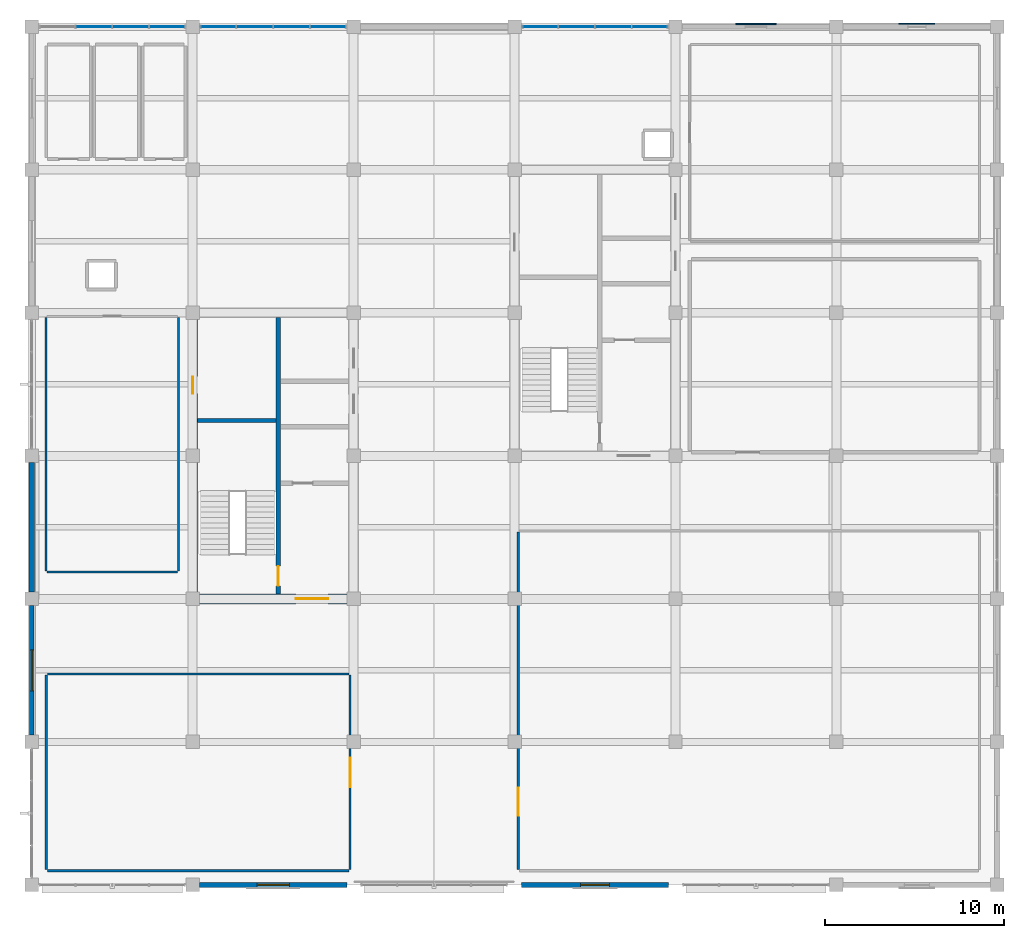
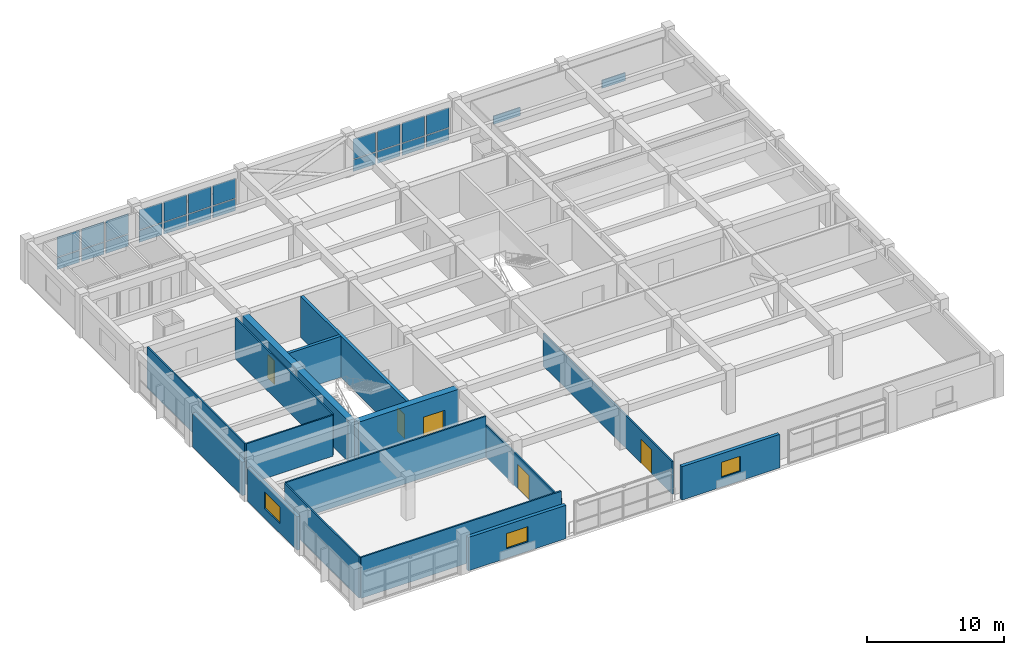
# One storey, part 11 of 15: 24 plates, 16 walls, 5 doors, 3 windows, 8 openings, 3 elements without a shape of their own.
"""IFC4 building model written with IfcOpenShell, lengths in metres."""

from ifc_helpers import new_model, si_unit, direction, frame, frame_2d, origin, place, context, subcontext, project, spatial, rectangle, extrude, material, layer, layer_set, type_object, element, fill, aggregate, save


model = new_model("IFC4")

# Units and contexts
model_context = context("Model", 3, precision=1e-05, world=origin(), true_north=direction((0.0, 1.0)))
body_context = subcontext(model_context, "Body", "Model", "MODEL_VIEW")
ifc_project = project(units=[si_unit("LENGTHUNIT", "METRE"), si_unit("AREAUNIT", "SQUARE_METRE"), si_unit("VOLUMEUNIT", "CUBIC_METRE"), si_unit("PLANEANGLEUNIT", "RADIAN"), si_unit("MASSUNIT", "GRAM", prefix="KILO")], contexts=[model_context])

# Site, building, storey
site_placement = place(None, origin())
site = spatial("IfcSite", under=ifc_project, at=site_placement, CompositionType="ELEMENT")
building_placement = place(site_placement, origin())
building = spatial("IfcBuilding", under=site, at=building_placement, Name="Zaverband Oceanarium and Marine Research Institute", CompositionType="ELEMENT")
storey_placement = place(building_placement, frame((0.0, 0.0, 53.10009765625)))
storey = spatial("IfcBuildingStorey", under=building, at=storey_placement, Name="L13", CompositionType="ELEMENT", Elevation=53.10009765625)

# Curtain wall, plates
ifc_material_1 = material(Name="Thermally broken anodized aluminium and solar-control glass", Category="aluminium")
curtain_wall_type = type_object("IfcCurtainWallType", Name="CW-UNIT-1800", PredefinedType="NOTDEFINED", material=ifc_material_1)
curtain_wall_1_placement = place(storey_placement, origin())
curtain_wall_1 = element("IfcCurtainWall", 1, at=curtain_wall_1_placement, inside=storey, type_object=curtain_wall_type, Name="Unitised glazed curtain wall CW-142", PredefinedType="NOTDEFINED")
ifc_material_2 = material(Name="Low-E double-glazed solar-control glass", Category="glass")
ifc_layer_1 = layer(ifc_material_2, 0.033935546875, Name="Low-E double-glazed solar-control glass")
ifc_layer_set_1 = layer_set([ifc_layer_1], Name="Low-E double-glazed solar-control glass")
plate_type_1 = type_object("IfcPlateType", Name="CWP-1820x1043", PredefinedType="CURTAIN_PANEL", material=ifc_layer_set_1)
plate_1_placement = place(storey_placement, frame((11.52001953125, 112.0, 0.0498046875), z_axis=(0.0, 0.0, 1.0), x_axis=(1.0, 0.0, 0.0)))
plate_1 = element("IfcPlate", 2, at=plate_1_placement, type_object=plate_type_1, Name="Glazed curtain wall panel CWP-1820x1043", PredefinedType="CURTAIN_PANEL", context=body_context, shape_type="SweptSolid", body=[
    extrude(rectangle(XDim=1.89990234375, YDim=0.033935546875, at=frame_2d((0.949951171875, 0.0))), origin(), (0.0, 0.0, 1.0), 1.043212890625),
])
plate_2_placement = place(storey_placement, frame((13.580078125, 112.0, 0.0498046875), z_axis=(0.0, 0.0, 1.0), x_axis=(1.0, 0.0, 0.0)))
plate_2 = element("IfcPlate", 3, at=plate_2_placement, type_object=plate_type_1, Name="Glazed curtain wall panel CWP-1820x1043", PredefinedType="CURTAIN_PANEL", context=body_context, shape_type="SweptSolid", body=[
    extrude(rectangle(XDim=1.89990234375, YDim=0.033935546875, at=frame_2d((0.949951171875, 0.0))), origin(), (0.0, 0.0, 1.0), 1.043212890625),
])
plate_3_placement = place(storey_placement, frame((15.639892578125, 112.0, 0.0498046875), z_axis=(0.0, 0.0, 1.0), x_axis=(1.0, 0.0, 0.0)))
plate_3 = element("IfcPlate", 4, at=plate_3_placement, type_object=plate_type_1, Name="Glazed curtain wall panel CWP-1820x1043", PredefinedType="CURTAIN_PANEL", context=body_context, shape_type="SweptSolid", body=[
    extrude(rectangle(XDim=1.900146484375, YDim=0.033935546875, at=frame_2d((0.9501953125, 0.0))), origin(), (0.0, 0.0, 1.0), 1.043212890625),
])

curtain_wall_2_placement = place(storey_placement, origin())
curtain_wall_2 = element("IfcCurtainWall", 5, at=curtain_wall_2_placement, inside=storey, type_object=curtain_wall_type, Name="Unitised glazed curtain wall CW-143", PredefinedType="NOTDEFINED")
plate_4_placement = place(storey_placement, frame((18.4599609375, 112.0, 0.0498046875), z_axis=(0.0, 0.0, 1.0), x_axis=(1.0, 0.0, 0.0)))
plate_4 = element("IfcPlate", 6, at=plate_4_placement, type_object=plate_type_1, Name="Glazed curtain wall panel CWP-1820x1043", PredefinedType="CURTAIN_PANEL", context=body_context, shape_type="SweptSolid", body=[
    extrude(rectangle(XDim=1.900146484375, YDim=0.033935546875, at=frame_2d((0.9501953125, 0.0))), origin(), (0.0, 0.0, 1.0), 1.043212890625),
])
plate_5_placement = place(storey_placement, frame((20.52001953125, 112.0, 0.0498046875), z_axis=(0.0, 0.0, 1.0), x_axis=(1.0, 0.0, 0.0)))
plate_5 = element("IfcPlate", 7, at=plate_5_placement, type_object=plate_type_1, Name="Glazed curtain wall panel CWP-1820x1043", PredefinedType="CURTAIN_PANEL", context=body_context, shape_type="SweptSolid", body=[
    extrude(rectangle(XDim=1.89990234375, YDim=0.033935546875, at=frame_2d((0.949951171875, 0.0))), origin(), (0.0, 0.0, 1.0), 1.043212890625),
])
plate_6_placement = place(storey_placement, frame((22.580078125, 112.0, 0.0498046875), z_axis=(0.0, 0.0, 1.0), x_axis=(1.0, 0.0, 0.0)))
plate_6 = element("IfcPlate", 8, at=plate_6_placement, type_object=plate_type_1, Name="Glazed curtain wall panel CWP-1820x1043", PredefinedType="CURTAIN_PANEL", context=body_context, shape_type="SweptSolid", body=[
    extrude(rectangle(XDim=1.89990234375, YDim=0.033935546875, at=frame_2d((0.949951171875, 0.0))), origin(), (0.0, 0.0, 1.0), 1.043212890625),
])
plate_7_placement = place(storey_placement, frame((24.639892578125, 112.0, 0.0498046875), z_axis=(0.0, 0.0, 1.0), x_axis=(1.0, 0.0, 0.0)))
plate_7 = element("IfcPlate", 9, at=plate_7_placement, type_object=plate_type_1, Name="Glazed curtain wall panel CWP-1820x1043", PredefinedType="CURTAIN_PANEL", context=body_context, shape_type="SweptSolid", body=[
    extrude(rectangle(XDim=1.900146484375, YDim=0.033935546875, at=frame_2d((0.9501953125, 0.0))), origin(), (0.0, 0.0, 1.0), 1.043212890625),
])

curtain_wall_3_placement = place(storey_placement, origin())
curtain_wall_3 = element("IfcCurtainWall", 10, at=curtain_wall_3_placement, inside=storey, type_object=curtain_wall_type, Name="Unitised glazed curtain wall CW-144", PredefinedType="NOTDEFINED")
plate_8_placement = place(storey_placement, frame((36.4599609375, 112.0, 0.0498046875), z_axis=(0.0, 0.0, 1.0), x_axis=(1.0, 0.0, 0.0)))
plate_8 = element("IfcPlate", 11, at=plate_8_placement, type_object=plate_type_1, Name="Glazed curtain wall panel CWP-1820x1043", PredefinedType="CURTAIN_PANEL", context=body_context, shape_type="SweptSolid", body=[
    extrude(rectangle(XDim=1.900146484375, YDim=0.033935546875, at=frame_2d((0.9501953125, 0.0))), origin(), (0.0, 0.0, 1.0), 1.043212890625),
])
plate_9_placement = place(storey_placement, frame((38.52001953125, 112.0, 0.0498046875), z_axis=(0.0, 0.0, 1.0), x_axis=(1.0, 0.0, 0.0)))
plate_9 = element("IfcPlate", 12, at=plate_9_placement, type_object=plate_type_1, Name="Glazed curtain wall panel CWP-1820x1043", PredefinedType="CURTAIN_PANEL", context=body_context, shape_type="SweptSolid", body=[
    extrude(rectangle(XDim=1.89990234375, YDim=0.033935546875, at=frame_2d((0.949951171875, 0.0))), origin(), (0.0, 0.0, 1.0), 1.043212890625),
])
plate_10_placement = place(storey_placement, frame((40.580078125, 112.0, 0.0498046875), z_axis=(0.0, 0.0, 1.0), x_axis=(1.0, 0.0, 0.0)))
plate_10 = element("IfcPlate", 13, at=plate_10_placement, type_object=plate_type_1, Name="Glazed curtain wall panel CWP-1820x1043", PredefinedType="CURTAIN_PANEL", context=body_context, shape_type="SweptSolid", body=[
    extrude(rectangle(XDim=1.89990234375, YDim=0.033935546875, at=frame_2d((0.949951171875, 0.0))), origin(), (0.0, 0.0, 1.0), 1.043212890625),
])
plate_11_placement = place(storey_placement, frame((42.639892578125, 112.0, 0.0498046875), z_axis=(0.0, 0.0, 1.0), x_axis=(1.0, 0.0, 0.0)))
plate_11 = element("IfcPlate", 14, at=plate_11_placement, type_object=plate_type_1, Name="Glazed curtain wall panel CWP-1820x1043", PredefinedType="CURTAIN_PANEL", context=body_context, shape_type="SweptSolid", body=[
    extrude(rectangle(XDim=1.900146484375, YDim=0.033935546875, at=frame_2d((0.9501953125, 0.0))), origin(), (0.0, 0.0, 1.0), 1.043212890625),
])

# Plate
ifc_layer_2 = layer(ifc_material_2, 0.035888671875, Name="Low-E double-glazed solar-control glass")
ifc_layer_set_2 = layer_set([ifc_layer_2], Name="Low-E double-glazed solar-control glass")
plate_type_2 = type_object("IfcPlateType", Name="CWP-1820x1777", PredefinedType="CURTAIN_PANEL", material=ifc_layer_set_2)
plate_12_placement = place(storey_placement, frame((11.52001953125, 112.0, 1.162841796875), z_axis=(0.0, 0.0, 1.0), x_axis=(1.0, 0.0, 0.0)))
plate_12 = element("IfcPlate", 15, at=plate_12_placement, type_object=plate_type_2, Name="Glazed curtain wall panel CWP-1820x1777", PredefinedType="CURTAIN_PANEL", context=body_context, shape_type="SweptSolid", body=[
    extrude(rectangle(XDim=1.89990234375, YDim=0.035888671875, at=frame_2d((0.949951171875, 0.0))), origin(), (0.0, 0.0, 1.0), 1.777099609375),
])

plate_13_placement = place(storey_placement, frame((13.580078125, 112.0, 1.162841796875), z_axis=(0.0, 0.0, 1.0), x_axis=(1.0, 0.0, 0.0)))
plate_13 = element("IfcPlate", 16, at=plate_13_placement, type_object=plate_type_2, Name="Glazed curtain wall panel CWP-1820x1777", PredefinedType="CURTAIN_PANEL", context=body_context, shape_type="SweptSolid", body=[
    extrude(rectangle(XDim=1.89990234375, YDim=0.035888671875, at=frame_2d((0.949951171875, 0.0))), origin(), (0.0, 0.0, 1.0), 1.777099609375),
])

plate_14_placement = place(storey_placement, frame((15.639892578125, 112.0, 1.162841796875), z_axis=(0.0, 0.0, 1.0), x_axis=(1.0, 0.0, 0.0)))
plate_14 = element("IfcPlate", 17, at=plate_14_placement, type_object=plate_type_2, Name="Glazed curtain wall panel CWP-1820x1777", PredefinedType="CURTAIN_PANEL", context=body_context, shape_type="SweptSolid", body=[
    extrude(rectangle(XDim=1.900146484375, YDim=0.035888671875, at=frame_2d((0.9501953125, 0.0))), origin(), (0.0, 0.0, 1.0), 1.777099609375),
])

aggregate(curtain_wall_1, [plate_1, plate_12, plate_2, plate_13, plate_3, plate_14])

plate_15_placement = place(storey_placement, frame((18.4599609375, 112.0, 1.162841796875), z_axis=(0.0, 0.0, 1.0), x_axis=(1.0, 0.0, 0.0)))
plate_15 = element("IfcPlate", 18, at=plate_15_placement, type_object=plate_type_2, Name="Glazed curtain wall panel CWP-1820x1777", PredefinedType="CURTAIN_PANEL", context=body_context, shape_type="SweptSolid", body=[
    extrude(rectangle(XDim=1.900146484375, YDim=0.035888671875, at=frame_2d((0.9501953125, 0.0))), origin(), (0.0, 0.0, 1.0), 1.777099609375),
])

plate_16_placement = place(storey_placement, frame((20.52001953125, 112.0, 1.162841796875), z_axis=(0.0, 0.0, 1.0), x_axis=(1.0, 0.0, 0.0)))
plate_16 = element("IfcPlate", 19, at=plate_16_placement, type_object=plate_type_2, Name="Glazed curtain wall panel CWP-1820x1777", PredefinedType="CURTAIN_PANEL", context=body_context, shape_type="SweptSolid", body=[
    extrude(rectangle(XDim=1.89990234375, YDim=0.035888671875, at=frame_2d((0.949951171875, 0.0))), origin(), (0.0, 0.0, 1.0), 1.777099609375),
])

plate_17_placement = place(storey_placement, frame((22.580078125, 112.0, 1.162841796875), z_axis=(0.0, 0.0, 1.0), x_axis=(1.0, 0.0, 0.0)))
plate_17 = element("IfcPlate", 20, at=plate_17_placement, type_object=plate_type_2, Name="Glazed curtain wall panel CWP-1820x1777", PredefinedType="CURTAIN_PANEL", context=body_context, shape_type="SweptSolid", body=[
    extrude(rectangle(XDim=1.89990234375, YDim=0.035888671875, at=frame_2d((0.949951171875, 0.0))), origin(), (0.0, 0.0, 1.0), 1.777099609375),
])

plate_18_placement = place(storey_placement, frame((24.639892578125, 112.0, 1.162841796875), z_axis=(0.0, 0.0, 1.0), x_axis=(1.0, 0.0, 0.0)))
plate_18 = element("IfcPlate", 21, at=plate_18_placement, type_object=plate_type_2, Name="Glazed curtain wall panel CWP-1820x1777", PredefinedType="CURTAIN_PANEL", context=body_context, shape_type="SweptSolid", body=[
    extrude(rectangle(XDim=1.900146484375, YDim=0.035888671875, at=frame_2d((0.9501953125, 0.0))), origin(), (0.0, 0.0, 1.0), 1.777099609375),
])

aggregate(curtain_wall_2, [plate_4, plate_15, plate_5, plate_16, plate_6, plate_17, plate_7, plate_18])

plate_19_placement = place(storey_placement, frame((36.4599609375, 112.0, 1.162841796875), z_axis=(0.0, 0.0, 1.0), x_axis=(1.0, 0.0, 0.0)))
plate_19 = element("IfcPlate", 22, at=plate_19_placement, type_object=plate_type_2, Name="Glazed curtain wall panel CWP-1820x1777", PredefinedType="CURTAIN_PANEL", context=body_context, shape_type="SweptSolid", body=[
    extrude(rectangle(XDim=1.900146484375, YDim=0.035888671875, at=frame_2d((0.9501953125, 0.0))), origin(), (0.0, 0.0, 1.0), 1.777099609375),
])

plate_20_placement = place(storey_placement, frame((38.52001953125, 112.0, 1.162841796875), z_axis=(0.0, 0.0, 1.0), x_axis=(1.0, 0.0, 0.0)))
plate_20 = element("IfcPlate", 23, at=plate_20_placement, type_object=plate_type_2, Name="Glazed curtain wall panel CWP-1820x1777", PredefinedType="CURTAIN_PANEL", context=body_context, shape_type="SweptSolid", body=[
    extrude(rectangle(XDim=1.89990234375, YDim=0.035888671875, at=frame_2d((0.949951171875, 0.0))), origin(), (0.0, 0.0, 1.0), 1.777099609375),
])

plate_21_placement = place(storey_placement, frame((40.580078125, 112.0, 1.162841796875), z_axis=(0.0, 0.0, 1.0), x_axis=(1.0, 0.0, 0.0)))
plate_21 = element("IfcPlate", 24, at=plate_21_placement, type_object=plate_type_2, Name="Glazed curtain wall panel CWP-1820x1777", PredefinedType="CURTAIN_PANEL", context=body_context, shape_type="SweptSolid", body=[
    extrude(rectangle(XDim=1.89990234375, YDim=0.035888671875, at=frame_2d((0.949951171875, 0.0))), origin(), (0.0, 0.0, 1.0), 1.777099609375),
])

plate_22_placement = place(storey_placement, frame((42.639892578125, 112.0, 1.162841796875), z_axis=(0.0, 0.0, 1.0), x_axis=(1.0, 0.0, 0.0)))
plate_22 = element("IfcPlate", 25, at=plate_22_placement, type_object=plate_type_2, Name="Glazed curtain wall panel CWP-1820x1777", PredefinedType="CURTAIN_PANEL", context=body_context, shape_type="SweptSolid", body=[
    extrude(rectangle(XDim=1.900146484375, YDim=0.035888671875, at=frame_2d((0.9501953125, 0.0))), origin(), (0.0, 0.0, 1.0), 1.777099609375),
])

aggregate(curtain_wall_3, [plate_8, plate_19, plate_9, plate_20, plate_10, plate_21, plate_11, plate_22])

# Plates
ifc_material_3 = material(Name="Concrete C40/50 precast ochre", Category="concrete")
ifc_layer_3 = layer(ifc_material_3, 0.070068359375, Name="Concrete C40/50 precast ochre")
ifc_layer_set_3 = layer_set([ifc_layer_3], Name="Concrete C40/50 precast ochre")
plate_type_3 = type_object("IfcPlateType", Name="FRP-2000x720", PredefinedType="USERDEFINED", material=ifc_layer_set_3)
plate_23_placement = place(storey_placement, frame((57.5, 112.1650390625, 0.0), z_axis=(0.0, 0.0, 1.0), x_axis=(1.0, 0.0, 0.0)))
element("IfcPlate", 26, at=plate_23_placement, inside=storey, type_object=plate_type_3, Name="Geometric precast facade cladding panel FRP-2000x720", ObjectType="FLANGE_PLATE", PredefinedType="USERDEFINED", context=body_context, shape_type="SweptSolid", body=[
    extrude(rectangle(XDim=2.0, YDim=0.070068359375, at=frame_2d((1.0, 0.0))), origin(), (0.0, 0.0, 1.0), 0.719970703125),
])
ifc_layer_4 = layer(ifc_material_3, 0.074951171875, Name="Concrete C40/50 precast ochre")
ifc_layer_set_4 = layer_set([ifc_layer_4], Name="Concrete C40/50 precast ochre")
plate_type_4 = type_object("IfcPlateType", Name="FRP-2250x740", PredefinedType="USERDEFINED", material=ifc_layer_set_4)
plate_24_placement = place(storey_placement, frame((48.375, 112.155029296875, 0.0), z_axis=(0.0, 0.0, 1.0), x_axis=(1.0, 0.0, 0.0)))
element("IfcPlate", 27, at=plate_24_placement, inside=storey, type_object=plate_type_4, Name="Geometric precast facade cladding panel FRP-2250x740", ObjectType="FLANGE_PLATE", PredefinedType="USERDEFINED", context=body_context, shape_type="SweptSolid", body=[
    extrude(rectangle(XDim=2.25, YDim=0.074951171875, at=frame_2d((1.125, 0.0))), origin(), (0.0, 0.0, 1.0), 0.739990234375),
])

# Wall, opening, door
ifc_material_4 = material(Name="Concrete C50/60", Category="concrete")
ifc_layer_5 = layer(ifc_material_4, 0.550048828125, Name="Concrete C50/60")
ifc_layer_set_5 = layer_set([ifc_layer_5], Name="Concrete C50/60")
wall_type_1 = type_object("IfcWallType", Name="CW-01", PredefinedType="SHEAR", material=ifc_layer_set_5)
wall_1_placement = place(storey_placement, frame((18.27490234375, 80.0, 0.0), z_axis=(0.0, 0.0, 1.0), x_axis=(1.0, 0.0, 0.0)))
wall_1 = element("IfcWall", 28, at=wall_1_placement, inside=storey, type_object=wall_type_1, Name="Structural shear wall CW-01", PredefinedType="SHEAR", context=body_context, shape_type="SweptSolid", body=[
    extrude(rectangle(XDim=8.4501953125, YDim=0.550048828125, at=frame_2d((4.22509765625, 0.0))), origin(), (0.0, 0.0, 1.0), 3.64990234375),
])
opening_1_placement = place(wall_1_placement, frame((5.5, 0.0, 0.0)))
opening_1 = element("IfcOpeningElement", 29, at=opening_1_placement, cuts=wall_1, Name="Opening FD-02", PredefinedType="OPENING", context=body_context, shape_type="SweptSolid", body=[
    extrude(rectangle(XDim=1.800048828125, YDim=2.179931640625, at=frame_2d((0.89990234375, 1.08984375))), frame((0.0, 0.287109375, 0.0), z_axis=(0.0, -1.0, 0.0), x_axis=(1.0, 0.0, 0.0)), (0.0, 0.0, 1.0), 0.573974609375),
])
ifc_material_5 = material(Name="Steel S355", Category="steel")
door_type_1 = type_object("IfcDoorType", Name="FD-02", OperationType="DOUBLE_DOOR_SINGLE_SWING", PredefinedType="DOOR", material=ifc_material_5)
door_1_placement = place(opening_1_placement, origin())
door_1 = element("IfcDoor", 30, at=door_1_placement, inside=storey, type_object=door_type_1, Name="Protected lobby double fire door FD-02", OperationType="DOUBLE_DOOR_SINGLE_SWING", OverallHeight=2.179931640625, OverallWidth=1.800048828125, PredefinedType="DOOR", context=body_context, shape_type="SweptSolid", body=[
    extrude(rectangle(XDim=1.800048828125, YDim=2.179931640625, at=frame_2d((0.89990234375, 1.08984375))), frame((0.0, 0.02490234375, 0.0), z_axis=(0.0, -1.0, 0.0), x_axis=(1.0, 0.0, 0.0)), (0.0, 0.0, 1.0), 0.050048828125),
])
fill(opening_1, door_1)

wall_2_placement = place(storey_placement, frame((18.0, 80.27490234375, 0.0), z_axis=(0.0, 0.0, 1.0), x_axis=(0.0, 1.0, 0.0)))
wall_2 = element("IfcWall", 31, at=wall_2_placement, inside=storey, type_object=wall_type_1, Name="Structural shear wall CW-01", PredefinedType="SHEAR", context=body_context, shape_type="SweptSolid", body=[
    extrude(rectangle(XDim=15.4501953125, YDim=0.550048828125, at=frame_2d((7.72509765625, 0.0))), origin(), (0.0, 0.0, 1.0), 3.64990234375),
])
opening_2_placement = place(wall_2_placement, frame((11.199951171875, 0.0, 0.0)))
opening_2 = element("IfcOpeningElement", 32, at=opening_2_placement, cuts=wall_2, Name="Opening FD-03", PredefinedType="OPENING", context=body_context, shape_type="SweptSolid", body=[
    extrude(rectangle(XDim=0.949951171875, YDim=2.10009765625, at=frame_2d((0.47509765625, 1.050048828125))), frame((0.0, 0.287109375, 0.0), z_axis=(0.0, -1.0, 0.0), x_axis=(1.0, 0.0, 0.0)), (0.0, 0.0, 1.0), 0.573974609375),
])
door_type_2 = type_object("IfcDoorType", Name="FD-03", OperationType="NOTDEFINED", PredefinedType="DOOR", material=ifc_material_5)
door_2_placement = place(opening_2_placement, origin())
door_2 = element("IfcDoor", 33, at=door_2_placement, inside=storey, type_object=door_type_2, Name="Service riser access fire door FD-03", OperationType="SINGLE_SWING_RIGHT", OverallHeight=2.10009765625, OverallWidth=0.949951171875, PredefinedType="DOOR", context=body_context, shape_type="SweptSolid", body=[
    extrude(rectangle(XDim=0.949951171875, YDim=2.10009765625, at=frame_2d((0.47509765625, 1.050048828125))), frame((0.0, 0.02490234375, 0.0), z_axis=(0.0, -1.0, 0.0), x_axis=(1.0, 0.0, 0.0)), (0.0, 0.0, 1.0), 0.050048828125),
])
fill(opening_2, door_2)

# Wall, opening, window
ifc_material_6 = material(Name="Concrete C40/50 precast", Category="concrete")
ifc_layer_6 = layer(ifc_material_6, 0.264892578125, Name="Concrete C40/50 precast")
ifc_layer_set_6 = layer_set([ifc_layer_6], Name="Concrete C40/50 precast")
wall_type_2 = type_object("IfcWallType", Name="EW-265", PredefinedType="STANDARD", material=ifc_layer_set_6)
wall_3_placement = place(storey_placement, frame((9.0, 72.3798828125, 0.0), z_axis=(0.0, 0.0, 1.0), x_axis=(0.0, 1.0, 0.0)))
wall_3 = element("IfcWall", 34, at=wall_3_placement, inside=storey, type_object=wall_type_2, Name="Exterior infill wall EW-265", PredefinedType="STANDARD", context=body_context, shape_type="SweptSolid", body=[
    extrude(rectangle(XDim=7.240234375, YDim=0.264892578125, at=frame_2d((3.6201171875, 0.0))), origin(), (0.0, 0.0, 1.0), 2.97998046875),
])
opening_3_placement = place(wall_3_placement, frame((2.469970703125, 0.0, 0.85009765625)))
opening_3 = element("IfcOpeningElement", 35, at=opening_3_placement, cuts=wall_3, Name="Opening WN-2300x1500", PredefinedType="OPENING", context=body_context, shape_type="SweptSolid", body=[
    extrude(rectangle(XDim=2.300048828125, YDim=1.5, at=frame_2d((1.14990234375, 0.75))), frame((0.0, 0.14453125, 0.0), z_axis=(0.0, -1.0, 0.0), x_axis=(1.0, 0.0, 0.0)), (0.0, 0.0, 1.0), 0.288818359375),
])
window_type_1 = type_object("IfcWindowType", Name="WN-2300x1500", PartitioningType="SINGLE_PANEL", PredefinedType="WINDOW", material=ifc_material_1)
window_1_placement = place(opening_3_placement, origin())
window_1 = element("IfcWindow", 36, at=window_1_placement, inside=storey, type_object=window_type_1, Name="Fixed / casement exterior window WN-2300x1500", OverallHeight=1.5, OverallWidth=2.300048828125, PartitioningType="SINGLE_PANEL", PredefinedType="WINDOW", context=body_context, shape_type="SweptSolid", body=[
    extrude(rectangle(XDim=2.300048828125, YDim=1.5, at=frame_2d((1.14990234375, 0.75))), frame((0.0, 0.030029296875, 0.0), z_axis=(0.0, -1.0, 0.0), x_axis=(1.0, 0.0, 0.0)), (0.0, 0.0, 1.0), 0.06005859375),
])
fill(opening_3, window_1)

ifc_layer_7 = layer(ifc_material_6, 0.2900390625, Name="Concrete C40/50 precast")
ifc_layer_set_7 = layer_set([ifc_layer_7], Name="Concrete C40/50 precast")
wall_type_3 = type_object("IfcWallType", Name="EW-290", PredefinedType="STANDARD", material=ifc_layer_set_7)
wall_4_placement = place(storey_placement, frame((18.3798828125, 64.0, 0.0), z_axis=(0.0, 0.0, 1.0), x_axis=(1.0, 0.0, 0.0)))
wall_4 = element("IfcWall", 37, at=wall_4_placement, inside=storey, type_object=wall_type_3, Name="Exterior infill wall EW-290", PredefinedType="STANDARD", context=body_context, shape_type="SweptSolid", body=[
    extrude(rectangle(XDim=8.240234375, YDim=0.2900390625, at=frame_2d((4.1201171875, 0.0))), origin(), (0.0, 0.0, 1.0), 2.97998046875),
])
opening_4_placement = place(wall_4_placement, frame((3.219970703125, 0.0, 0.85009765625)))
opening_4 = element("IfcOpeningElement", 38, at=opening_4_placement, cuts=wall_4, Name="Opening WN-1800x1350", PredefinedType="OPENING", context=body_context, shape_type="SweptSolid", body=[
    extrude(rectangle(XDim=1.800048828125, YDim=1.35009765625, at=frame_2d((0.89990234375, 0.675048828125))), frame((0.0, 0.156982421875, 0.0), z_axis=(0.0, -1.0, 0.0), x_axis=(1.0, 0.0, 0.0)), (0.0, 0.0, 1.0), 0.31396484375),
])
window_type_2 = type_object("IfcWindowType", Name="WN-1800x1350", PartitioningType="SINGLE_PANEL", PredefinedType="WINDOW", material=ifc_material_1)
window_2_placement = place(opening_4_placement, origin())
window_2 = element("IfcWindow", 39, at=window_2_placement, inside=storey, type_object=window_type_2, Name="Fixed / casement exterior window WN-1800x1350", OverallHeight=1.35009765625, OverallWidth=1.800048828125, PartitioningType="SINGLE_PANEL", PredefinedType="WINDOW", context=body_context, shape_type="SweptSolid", body=[
    extrude(rectangle(XDim=1.800048828125, YDim=1.35009765625, at=frame_2d((0.89990234375, 0.675048828125))), frame((0.0, 0.030029296875, 0.0), z_axis=(0.0, -1.0, 0.0), x_axis=(1.0, 0.0, 0.0)), (0.0, 0.0, 1.0), 0.06005859375),
])
fill(opening_4, window_2)

wall_5_placement = place(storey_placement, frame((36.3798828125, 64.0, 0.0), z_axis=(0.0, 0.0, 1.0), x_axis=(1.0, 0.0, 0.0)))
wall_5 = element("IfcWall", 40, at=wall_5_placement, inside=storey, type_object=wall_type_3, Name="Exterior infill wall EW-290", PredefinedType="STANDARD", context=body_context, shape_type="SweptSolid", body=[
    extrude(rectangle(XDim=8.240234375, YDim=0.2900390625, at=frame_2d((4.1201171875, 0.0))), origin(), (0.0, 0.0, 1.0), 2.97998046875),
])
opening_5_placement = place(wall_5_placement, frame((3.320068359375, 0.0, 0.85009765625)))
opening_5 = element("IfcOpeningElement", 41, at=opening_5_placement, cuts=wall_5, Name="Opening WN-1600x1350", PredefinedType="OPENING", context=body_context, shape_type="SweptSolid", body=[
    extrude(rectangle(XDim=1.60009765625, YDim=1.35009765625, at=frame_2d((0.800048828125, 0.675048828125))), frame((0.0, 0.156982421875, 0.0), z_axis=(0.0, -1.0, 0.0), x_axis=(1.0, 0.0, 0.0)), (0.0, 0.0, 1.0), 0.31396484375),
])
window_type_3 = type_object("IfcWindowType", Name="WN-1600x1350", PartitioningType="SINGLE_PANEL", PredefinedType="WINDOW", material=ifc_material_1)
window_3_placement = place(opening_5_placement, origin())
window_3 = element("IfcWindow", 42, at=window_3_placement, inside=storey, type_object=window_type_3, Name="Fixed / casement exterior window WN-1600x1350", OverallHeight=1.35009765625, OverallWidth=1.60009765625, PartitioningType="SINGLE_PANEL", PredefinedType="WINDOW", context=body_context, shape_type="SweptSolid", body=[
    extrude(rectangle(XDim=1.60009765625, YDim=1.35009765625, at=frame_2d((0.800048828125, 0.675048828125))), frame((0.0, 0.030029296875, 0.0), z_axis=(0.0, -1.0, 0.0), x_axis=(1.0, 0.0, 0.0)), (0.0, 0.0, 1.0), 0.06005859375),
])
fill(opening_5, window_3)

# Walls
wall_6_placement = place(storey_placement, frame((9.0, 80.3798828125, 0.0), z_axis=(0.0, 0.0, 1.0), x_axis=(0.0, 1.0, 0.0)))
element("IfcWall", 43, at=wall_6_placement, inside=storey, type_object=wall_type_3, Name="Exterior infill wall EW-290", PredefinedType="STANDARD", context=body_context, shape_type="SweptSolid", body=[
    extrude(rectangle(XDim=7.240234375, YDim=0.2900390625, at=frame_2d((3.6201171875, 0.0))), origin(), (0.0, 0.0, 1.0), 2.97998046875),
])
ifc_material_7 = material(Name="Insulated metal-stud office partition")
ifc_layer_8 = layer(ifc_material_7, 0.1201171875, Name="Insulated metal-stud office partition")
ifc_layer_set_8 = layer_set([ifc_layer_8], Name="Insulated metal-stud office partition")
wall_type_4 = type_object("IfcWallType", Name="PT-120-OF", PredefinedType="PARTITIONING", material=ifc_layer_set_8)
wall_7_placement = place(storey_placement, frame((9.860107421875, 81.5, 0.0), z_axis=(0.0, 0.0, 1.0), x_axis=(1.0, 0.0, 0.0)))
element("IfcWall", 44, at=wall_7_placement, inside=storey, type_object=wall_type_4, Name="Internal partition PT-120-OF", PredefinedType="PARTITIONING", context=body_context, shape_type="SweptSolid", body=[
    extrude(rectangle(XDim=7.27978515625, YDim=0.1201171875, at=frame_2d((3.639892578125, 0.0))), origin(), (0.0, 0.0, 1.0), 3.64990234375),
])
for number, where, z_axis, x_axis, name in (
    (45, (9.800048828125, 81.56005859375, 0.0), (0.0, 0.0, 1.0), (0.0, 1.0, 0.0), "Internal partition PT-120-OF"),
    (46, (17.199951171875, 81.56005859375, 0.0), (0.0, 0.0, 1.0), (0.0, 1.0, 0.0), "Internal partition PT-120-OF"),
):
    element("IfcWall", number, at=place(storey_placement, frame(where, z_axis=z_axis, x_axis=x_axis)), inside=storey, type_object=wall_type_4, Name=name, PredefinedType="PARTITIONING", context=body_context, shape_type="SweptSolid", body=[
        extrude(rectangle(XDim=14.179931640625, YDim=0.1201171875, at=frame_2d((7.08984375, 0.0))), origin(), (0.0, 0.0, 1.0), 3.64990234375),
    ])
ifc_material_8 = material(Name="Archive fire-lined partition")
ifc_layer_9 = layer(ifc_material_8, 0.1298828125, Name="Archive fire-lined partition")
ifc_layer_set_9 = layer_set([ifc_layer_9], Name="Archive fire-lined partition")
wall_type_5 = type_object("IfcWallType", Name="PT-130-AR", PredefinedType="PARTITIONING", material=ifc_layer_set_9)
for number, where, z_axis, x_axis, name in (
    (47, (9.864990234375, 64.800048828125, 0.0), (0.0, 0.0, 1.0), (1.0, 0.0, 0.0), "Internal partition PT-130-AR"),
    (48, (9.864990234375, 75.800048828125, 0.0), (0.0, 0.0, 1.0), (1.0, 0.0, 0.0), "Internal partition PT-130-AR"),
):
    element("IfcWall", number, at=place(storey_placement, frame(where, z_axis=z_axis, x_axis=x_axis)), inside=storey, type_object=wall_type_5, Name=name, PredefinedType="PARTITIONING", context=body_context, shape_type="SweptSolid", body=[
        extrude(rectangle(XDim=16.8701171875, YDim=0.1298828125, at=frame_2d((8.43505859375, 0.0))), origin(), (0.0, 0.0, 1.0), 3.64990234375),
    ])
wall_8_placement = place(storey_placement, frame((9.800048828125, 64.864990234375, 0.0), z_axis=(0.0, 0.0, 1.0), x_axis=(0.0, 1.0, 0.0)))
element("IfcWall", 49, at=wall_8_placement, inside=storey, type_object=wall_type_5, Name="Internal partition PT-130-AR", PredefinedType="PARTITIONING", context=body_context, shape_type="SweptSolid", body=[
    extrude(rectangle(XDim=10.8701171875, YDim=0.1298828125, at=frame_2d((5.43505859375, 0.0))), origin(), (0.0, 0.0, 1.0), 3.64990234375),
])

# Wall, opening, door
wall_9_placement = place(storey_placement, frame((26.800048828125, 64.864990234375, 0.0), z_axis=(0.0, 0.0, 1.0), x_axis=(0.0, 1.0, 0.0)))
wall_9 = element("IfcWall", 50, at=wall_9_placement, inside=storey, type_object=wall_type_5, Name="Internal partition PT-130-AR", PredefinedType="PARTITIONING", context=body_context, shape_type="SweptSolid", body=[
    extrude(rectangle(XDim=10.8701171875, YDim=0.1298828125, at=frame_2d((5.43505859375, 0.0))), origin(), (0.0, 0.0, 1.0), 2.89990234375),
])
opening_6_placement = place(wall_9_placement, frame((4.610107421875, 0.0, 0.0)))
opening_6 = element("IfcOpeningElement", 51, at=opening_6_placement, cuts=wall_9, Name="Opening ID-1650x2160", PredefinedType="OPENING", context=body_context, shape_type="SweptSolid", body=[
    extrude(rectangle(XDim=1.64990234375, YDim=2.159912109375, at=frame_2d((0.824951171875, 1.080078125))), frame((0.0, 0.076904296875, 0.0), z_axis=(0.0, -1.0, 0.0), x_axis=(1.0, 0.0, 0.0)), (0.0, 0.0, 1.0), 0.15380859375),
])
ifc_material_9 = material(Name="Hardwood-veneered acoustic timber", Category="wood")
door_type_3 = type_object("IfcDoorType", Name="ID-1650x2160", OperationType="DOUBLE_DOOR_SINGLE_SWING", PredefinedType="DOOR", material=ifc_material_9)
door_3_placement = place(opening_6_placement, origin())
door_3 = element("IfcDoor", 52, at=door_3_placement, inside=storey, type_object=door_type_3, Name="Archive collection double door ID-1650x2160", OperationType="DOUBLE_DOOR_SINGLE_SWING", OverallHeight=2.159912109375, OverallWidth=1.64990234375, PredefinedType="DOOR", context=body_context, shape_type="SweptSolid", body=[
    extrude(rectangle(XDim=1.64990234375, YDim=2.159912109375, at=frame_2d((0.824951171875, 1.080078125))), frame((0.0, 0.02490234375, 0.0), z_axis=(0.0, -1.0, 0.0), x_axis=(1.0, 0.0, 0.0)), (0.0, 0.0, 1.0), 0.050048828125),
])
fill(opening_6, door_3)

wall_10_placement = place(storey_placement, frame((36.199951171875, 64.864990234375, 0.0), z_axis=(0.0, 0.0, 1.0), x_axis=(0.0, 1.0, 0.0)))
wall_10 = element("IfcWall", 53, at=wall_10_placement, inside=storey, type_object=wall_type_5, Name="Internal partition PT-130-AR", PredefinedType="PARTITIONING", context=body_context, shape_type="SweptSolid", body=[
    extrude(rectangle(XDim=18.8701171875, YDim=0.1298828125, at=frame_2d((9.43505859375, 0.0))), origin(), (0.0, 0.0, 1.0), 2.89990234375),
])
opening_7_placement = place(wall_10_placement, frame((3.0, 0.0, 0.0)))
opening_7 = element("IfcOpeningElement", 54, at=opening_7_placement, cuts=wall_10, Name="Opening ID-1580x2150", PredefinedType="OPENING", context=body_context, shape_type="SweptSolid", body=[
    extrude(rectangle(XDim=1.580078125, YDim=2.14990234375, at=frame_2d((0.7900390625, 1.074951171875))), frame((0.0, 0.076904296875, 0.0), z_axis=(0.0, -1.0, 0.0), x_axis=(1.0, 0.0, 0.0)), (0.0, 0.0, 1.0), 0.15380859375),
])
door_type_4 = type_object("IfcDoorType", Name="ID-1580x2150", OperationType="DOUBLE_DOOR_SINGLE_SWING", PredefinedType="DOOR", material=ifc_material_9)
door_4_placement = place(opening_7_placement, origin())
door_4 = element("IfcDoor", 55, at=door_4_placement, inside=storey, type_object=door_type_4, Name="Mobile shelving vault double door ID-1580x2150", OperationType="DOUBLE_DOOR_SINGLE_SWING", OverallHeight=2.14990234375, OverallWidth=1.580078125, PredefinedType="DOOR", context=body_context, shape_type="SweptSolid", body=[
    extrude(rectangle(XDim=1.580078125, YDim=2.14990234375, at=frame_2d((0.7900390625, 1.074951171875))), frame((0.0, 0.02490234375, 0.0), z_axis=(0.0, -1.0, 0.0), x_axis=(1.0, 0.0, 0.0)), (0.0, 0.0, 1.0), 0.050048828125),
])
fill(opening_7, door_4)

ifc_layer_10 = layer(ifc_material_4, 0.25, Name="Concrete C50/60")
ifc_layer_set_10 = layer_set([ifc_layer_10], Name="Concrete C50/60")
wall_type_6 = type_object("IfcWallType", Name="PW-CORE-250", PredefinedType="SOLIDWALL", material=ifc_layer_set_10)
wall_11_placement = place(storey_placement, frame((22.77490234375, 80.27490234375, 0.0), z_axis=(0.0, 0.0, 1.0), x_axis=(0.0, 1.0, 0.0)))
wall_11 = element("IfcWall", 56, at=wall_11_placement, inside=storey, type_object=wall_type_6, Name="Structural concrete wall PW-CORE-250", PredefinedType="SOLIDWALL", context=body_context, shape_type="SweptSolid", body=[
    extrude(rectangle(XDim=15.4501953125, YDim=0.25, at=frame_2d((7.72509765625, 0.0))), origin(), (0.0, 0.0, 1.0), 3.64990234375),
])
opening_8_placement = place(wall_11_placement, frame((0.449951171875, 0.0, 0.0)))
opening_8 = element("IfcOpeningElement", 57, at=opening_8_placement, cuts=wall_11, Name="Opening FD-01", PredefinedType="OPENING", context=body_context, shape_type="SweptSolid", body=[
    extrude(rectangle(XDim=1.10009765625, YDim=2.14990234375, at=frame_2d((0.550048828125, 1.074951171875))), frame((0.0, 0.136962890625, 0.0), z_axis=(0.0, -1.0, 0.0), x_axis=(1.0, 0.0, 0.0)), (0.0, 0.0, 1.0), 0.27392578125),
])
door_type_5 = type_object("IfcDoorType", Name="FD-01", OperationType="NOTDEFINED", PredefinedType="DOOR", material=ifc_material_5)
door_5_placement = place(opening_8_placement, origin())
door_5 = element("IfcDoor", 58, at=door_5_placement, inside=storey, type_object=door_type_5, Name="Core stair / lobby fire door FD-01", OperationType="SINGLE_SWING_RIGHT", OverallHeight=2.14990234375, OverallWidth=1.10009765625, PredefinedType="DOOR", context=body_context, shape_type="SweptSolid", body=[
    extrude(rectangle(XDim=1.10009765625, YDim=2.14990234375, at=frame_2d((0.550048828125, 1.074951171875))), frame((0.0, 0.02490234375, 0.0), z_axis=(0.0, -1.0, 0.0), x_axis=(1.0, 0.0, 0.0)), (0.0, 0.0, 1.0), 0.050048828125),
])
fill(opening_8, door_5)

# Wall
wall_12_placement = place(storey_placement, frame((18.27490234375, 89.97509765625, 0.0), z_axis=(0.0, 0.0, 1.0), x_axis=(1.0, 0.0, 0.0)))
element("IfcWall", 59, at=wall_12_placement, inside=storey, type_object=wall_type_6, Name="Structural concrete wall PW-CORE-250", PredefinedType="SOLIDWALL", context=body_context, shape_type="SweptSolid", body=[
    extrude(rectangle(XDim=4.3701171875, YDim=0.25, at=frame_2d((2.18505859375, 0.0))), origin(), (0.0, 0.0, 1.0), 3.64990234375),
])

save(model, "model.ifc")
